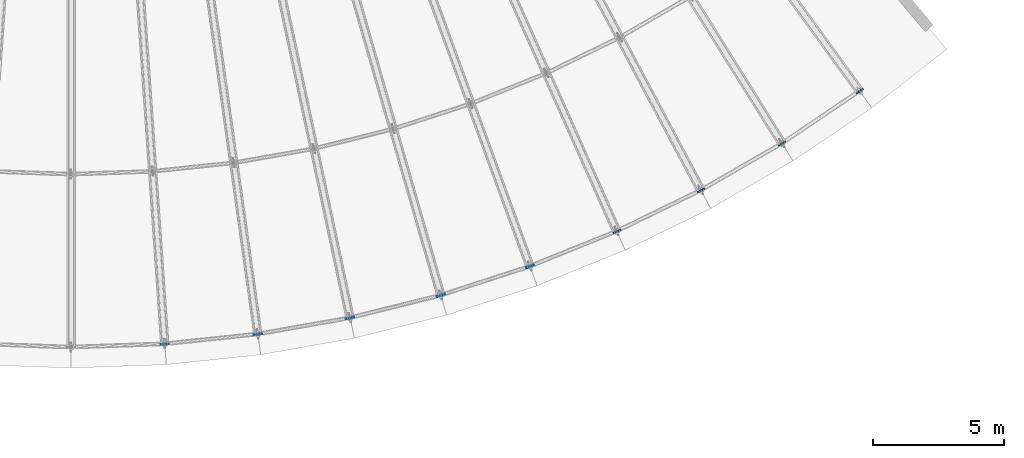
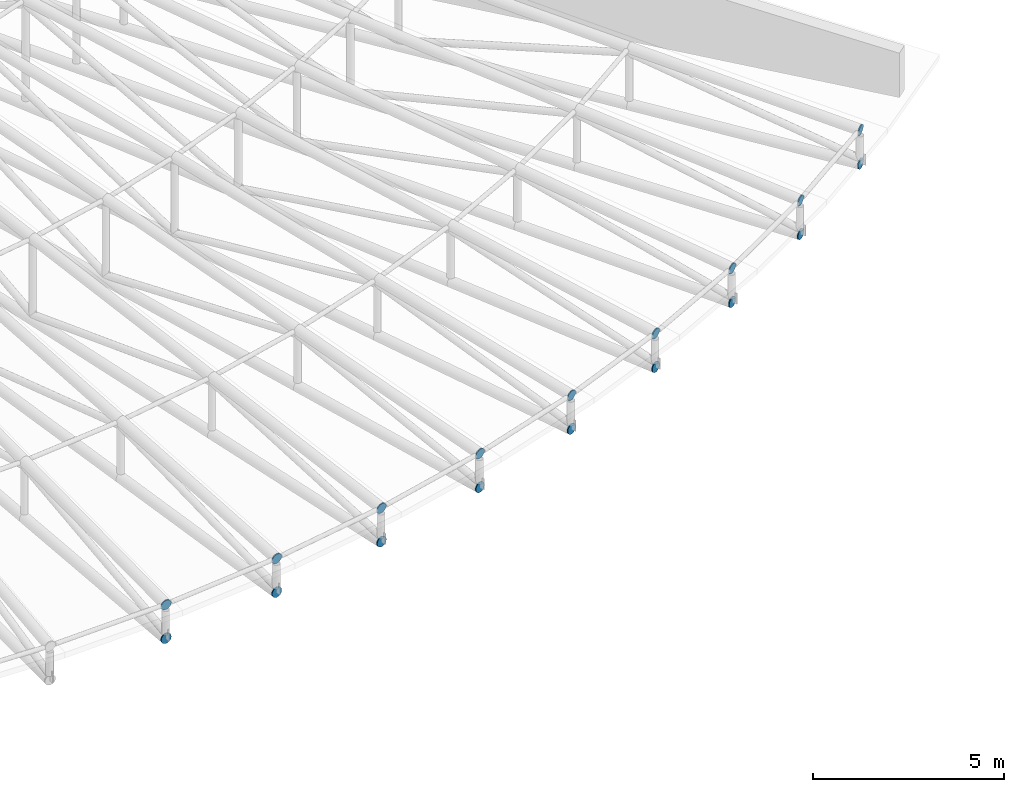
# One storey, part 107 of 163: 18 plates.
"""IFC4 building model written with IfcOpenShell, lengths in metres."""

from ifc_helpers import new_model, si_unit, direction, frame, origin, origin_2d, place, context, subcontext, project, spatial, circle, extrude, material, material_profile, profile_set, type_object, element, save


model = new_model("IFC4")

# Units and contexts
model_context = context("Model", 3, precision=1e-05, world=origin(), true_north=direction((0.0, 1.0)))
body_context = subcontext(model_context, "Body", "Model", "MODEL_VIEW")
ifc_project = project(units=[si_unit("LENGTHUNIT", "METRE"), si_unit("AREAUNIT", "SQUARE_METRE"), si_unit("VOLUMEUNIT", "CUBIC_METRE"), si_unit("PLANEANGLEUNIT", "RADIAN"), si_unit("MASSUNIT", "GRAM", prefix="KILO")], contexts=[model_context])

# Site, building, storey
site_placement = place(None, origin())
site = spatial("IfcSite", under=ifc_project, at=site_placement, CompositionType="ELEMENT")
building_placement = place(site_placement, origin())
building = spatial("IfcBuilding", under=site, at=building_placement, Name="Rain Tree Exposition and Congress Centre", CompositionType="ELEMENT")
storey_placement = place(building_placement, frame((0.0, 0.0, 10.5)))
storey = spatial("IfcBuildingStorey", under=building, at=storey_placement, Name="L02", CompositionType="ELEMENT", Elevation=10.5)

# Plates
ifc_material = material(Name="Steel S355J2", Category="steel")
ifc_material_profile = material_profile(ifc_material, circle(Radius=0.1591796875, at=origin_2d()), Name="CIRCLE 318")
ifc_profile_set = profile_set([ifc_material_profile], Name="Steel S355J2")
plate_type = type_object("IfcPlateType", Name="Chord end plate 30 CHS 318", PredefinedType="SHEET", material=ifc_profile_set)
for number, where, z_axis, x_axis, name in (
    (1, (205.173583984375, 16.0947265625, 0.1591796875), (-0.072975638312, 0.997333723592, 0.0), (-0.997333723592, -0.072975638312, 0.0), "End plate TC11-1"),
    (2, (205.173583984375, 16.094970703125, 1.2255859375), (-0.073093470965, 0.99082260641, 0.113700954834), (-0.997290013252, -0.073570574748, 0.0), "End plate TT11-1"),
    (3, (208.72998046875, 16.468505859375, 0.1591796875), (-0.145960873314, 0.989290363574, 0.0), (-0.989290363574, -0.145960873314, 0.0), "End plate TC12-1"),
    (4, (208.729736328125, 16.46875, 1.2255859375), (-0.138225087442, 0.983837387087, 0.113832424952), (-0.990274204789, -0.139129433731, 0.0), "End plate TT12-1"),
    (5, (212.251220703125, 17.089599609375, 0.1591796875), (-0.203954254112, 0.978980419738, 0.0), (-0.978980419738, -0.203954254112, 0.0), "End plate TC13-1"),
    (6, (212.251220703125, 17.089599609375, 1.2255859375), (-0.202636845328, 0.972656857577, 0.113476633384), (-0.978980419738, -0.203954254112, 0.0), "End plate TT13-1"),
    (7, (215.720947265625, 17.95458984375, 0.1591796875), (-0.276871495343, 0.960906954427, 0.0), (-0.960906954427, -0.276871495343, 0.0), "End plate TC14-1"),
    (8, (215.720703125, 17.95458984375, 1.2255859375), (-0.267586137009, 0.956823156577, 0.113521391458), (-0.963048734757, -0.269327188534, 0.0), "End plate TT14-1"),
):
    element("IfcPlate", number, at=place(storey_placement, frame(where, z_axis=z_axis, x_axis=x_axis)), inside=storey, type_object=plate_type, Name=name, PredefinedType="SHEET", context=body_context, shape_type="SweptSolid", body=[
        extrude(circle(Radius=0.1591796875, at=origin_2d()), origin(), (0.0, 0.0, 1.0), 0.030029296875),
    ])
for number, where, z_axis, x_axis, name in (
    (9, (219.12158203125, 19.0595703125, 0.1591796875), (-0.343054373663, 0.939315546933, 0.0), (-0.939315546933, -0.343054373663, 0.0), "End plate TC15-1"),
    (10, (219.12158203125, 19.059814453125, 1.2255859375), (-0.343432635111, 0.932174295302, 0.114477545037), (-0.938343116817, -0.345705358827, 0.0), "End plate TT15-1"),
):
    element("IfcPlate", number, at=place(storey_placement, frame(where, z_axis=z_axis, x_axis=x_axis)), inside=storey, type_object=plate_type, Name=name, PredefinedType="SHEET", context=body_context, shape_type="SweptSolid", body=[
        extrude(circle(Radius=0.1591796875, at=origin_2d()), origin(), (0.0, 0.0, 1.0), 0.02978515625),
    ])
for number, where, z_axis, x_axis, name in (
    (11, (222.43701171875, 20.399169921875, 0.1591796875), (-0.407650840374, 0.913137882438, 0.0), (-0.913137882438, -0.407650840374, 0.0), "End plate TC16-1"),
    (12, (222.43701171875, 20.3994140625, 1.2255859375), (-0.40801714622, 0.905798064608, 0.114244800942), (-0.911767746591, -0.410706192158, 0.0), "End plate TT16-1"),
    (13, (225.65087890625, 21.966552734375, 0.1591796875), (-0.463399319464, 0.886149575817, 0.0), (-0.886149575817, -0.463399319464, 0.0), "End plate TC17-1"),
    (14, (225.65087890625, 21.966796875, 1.2255859375), (-0.463721247012, 0.87862973118, 0.113896446634), (-0.884384752847, -0.466758619558, 0.0), "End plate TT17-1"),
    (15, (228.747802734375, 23.75439453125, 0.1591796875), (-0.529998940003, 0.847998304005, 0.0), (-0.847998304005, -0.529998940003, 0.0), "End plate TC18-1"),
    (16, (228.747802734375, 23.754638671875, 1.2255859375), (-0.530192849585, 0.840151746266, 0.114195382988), (-0.845683948153, -0.533684044951, 0.0), "End plate TT18-1"),
    (17, (231.712158203125, 25.75390625, 0.1591796875), (-0.584304725845, 0.811534341451, 0.0), (-0.811534341451, -0.584304725845, 0.0), "End plate TC19-1"),
    (18, (231.712158203125, 25.754150390625, 1.2255859375), (-0.584362456811, 0.803498378115, 0.113626033269), (-0.808736084303, -0.588171697675, 0.0), "End plate TT19-1"),
):
    element("IfcPlate", number, at=place(storey_placement, frame(where, z_axis=z_axis, x_axis=x_axis)), inside=storey, type_object=plate_type, Name=name, PredefinedType="SHEET", context=body_context, shape_type="SweptSolid", body=[
        extrude(circle(Radius=0.1591796875, at=origin_2d()), origin(), (0.0, 0.0, 1.0), 0.030029296875),
    ])

save(model, "model.ifc")
